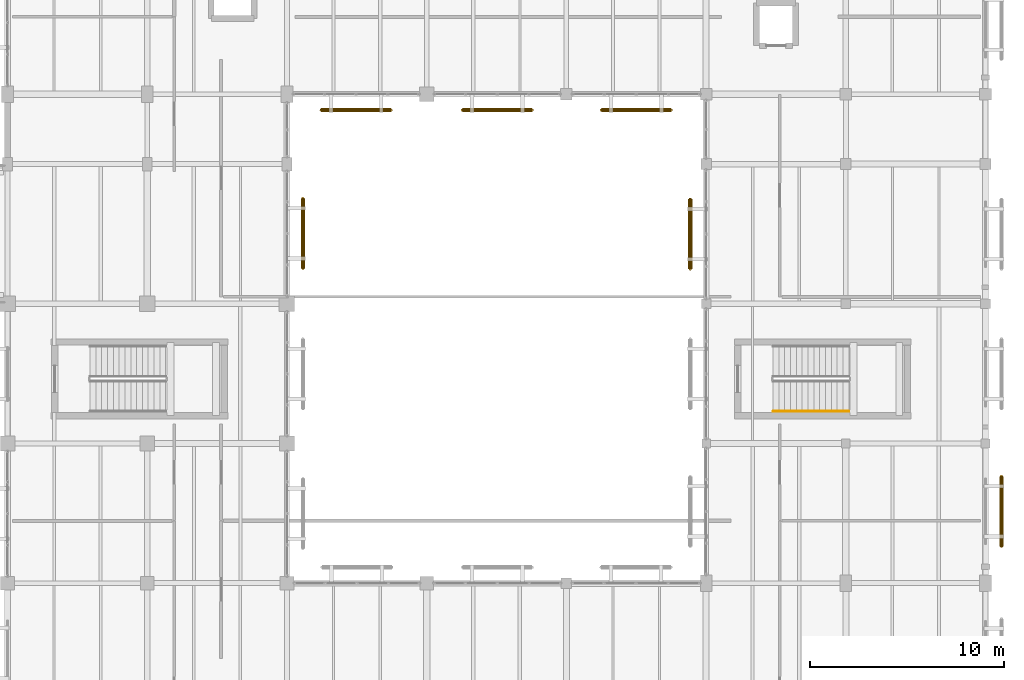
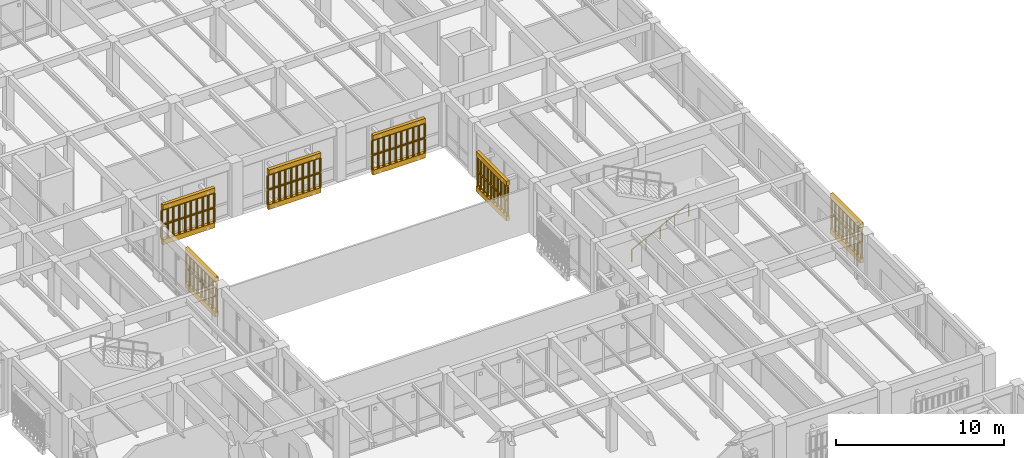
# One storey, part 168 of 170: 13 railings, 12 coverings.
"""IFC4 building model written with IfcOpenShell, lengths in metres."""

from ifc_helpers import new_model, si_unit, direction, frame, origin, origin_2d, place, context, subcontext, project, spatial, polyline, circle, outline, extrude, material, layer, layer_set, type_object, element, save


model = new_model("IFC4")

# Units and contexts
model_context = context("Model", 3, precision=1e-05, world=origin(), true_north=direction((0.0, 1.0)))
body_context = subcontext(model_context, "Body", "Model", "MODEL_VIEW")
ifc_project = project(units=[si_unit("LENGTHUNIT", "METRE"), si_unit("AREAUNIT", "SQUARE_METRE"), si_unit("VOLUMEUNIT", "CUBIC_METRE"), si_unit("PLANEANGLEUNIT", "RADIAN"), si_unit("MASSUNIT", "GRAM", prefix="KILO")], contexts=[model_context])

# Site, building, storey
site_placement = place(None, origin())
site = spatial("IfcSite", under=ifc_project, at=site_placement, CompositionType="ELEMENT")
building_placement = place(site_placement, origin())
building = spatial("IfcBuilding", under=site, at=building_placement, Name="Mazaris Harbour Polytechnic", CompositionType="ELEMENT")
storey_placement = place(building_placement, frame((0.0, 0.0, 5.39990234375)))
storey = spatial("IfcBuildingStorey", under=building, at=storey_placement, Name="L01", CompositionType="ELEMENT", Elevation=5.39990234375)

# Railings
ifc_material_1 = material(Name="Perforated Earth-Coloured Terracotta Block", Category="masonry")
railing_type_1 = type_object("IfcRailingType", Name="Perforated Earth-Block Claustra Lattice 1040", PredefinedType="BALUSTRADE", material=ifc_material_1)
for number, where, name in (
    (1, (173.6201171875, 66.699951171875, 0.52001953125), "V5 L01 Lower Perforated Terracotta Block Screen 388"),
    (2, (173.6201171875, 66.699951171875, 1.610107421875), "V5 L01 Upper Perforated Terracotta Block Screen 388"),
):
    element("IfcRailing", number, at=place(storey_placement, frame(where)), inside=storey, type_object=railing_type_1, Name=name, PredefinedType="BALUSTRADE", context=body_context, shape_type="SweptSolid", body=[
        extrude(circle(Radius=0.06982421875, at=origin_2d()), frame((0.0, 0.0, 1.02001953125), z_axis=(0.0, -1.0, 0.0), x_axis=(1.0, 0.0, 0.0)), (0.0, 0.0, 1.0), 3.599853515625),
        extrude(circle(Radius=0.074951171875, at=origin_2d()), origin(), (0.0, 0.0, 1.0), 0.9501953125),
        extrude(circle(Radius=0.074951171875, at=origin_2d()), frame((0.0, -0.449951171875, 0.0)), (0.0, 0.0, 1.0), 0.9501953125),
        extrude(circle(Radius=0.074951171875, at=origin_2d()), frame((0.0, -0.89990234375, 0.0)), (0.0, 0.0, 1.0), 0.9501953125),
        extrude(circle(Radius=0.074951171875, at=origin_2d()), frame((0.0, -1.349853515625, 0.0)), (0.0, 0.0, 1.0), 0.9501953125),
        extrude(circle(Radius=0.074951171875, at=origin_2d()), frame((0.0, -1.7998046875, 0.0)), (0.0, 0.0, 1.0), 0.9501953125),
        extrude(circle(Radius=0.074951171875, at=origin_2d()), frame((0.0, -2.25, 0.0)), (0.0, 0.0, 1.0), 0.9501953125),
        extrude(circle(Radius=0.074951171875, at=origin_2d()), frame((0.0, -2.699951171875, 0.0)), (0.0, 0.0, 1.0), 0.9501953125),
        extrude(circle(Radius=0.074951171875, at=origin_2d()), frame((0.0, -3.14990234375, 0.0)), (0.0, 0.0, 1.0), 0.9501953125),
        extrude(circle(Radius=0.074951171875, at=origin_2d()), frame((0.0, -3.599853515625, 0.0)), (0.0, 0.0, 1.0), 0.9501953125),
    ])
for number, where, name in (
    (3, (142.16259765625, 85.580078125, 0.52001953125), "V5 L01 Lower Perforated Terracotta Block Screen 397"),
    (4, (142.16259765625, 85.580078125, 1.610107421875), "V5 L01 Upper Perforated Terracotta Block Screen 397"),
    (5, (149.4375, 85.580078125, 0.52001953125), "V5 L01 Lower Perforated Terracotta Block Screen 398"),
    (6, (149.4375, 85.580078125, 1.610107421875), "V5 L01 Upper Perforated Terracotta Block Screen 398"),
    (7, (156.60009765625, 85.580078125, 0.52001953125), "V5 L01 Lower Perforated Terracotta Block Screen 399"),
    (8, (156.60009765625, 85.580078125, 1.610107421875), "V5 L01 Upper Perforated Terracotta Block Screen 399"),
):
    element("IfcRailing", number, at=place(storey_placement, frame(where)), inside=storey, type_object=railing_type_1, Name=name, PredefinedType="BALUSTRADE", context=body_context, shape_type="SweptSolid", body=[
        extrude(circle(Radius=0.06982421875, at=origin_2d()), frame((0.0, 0.0, 1.02001953125), z_axis=(-1.0, 0.0, 0.0), x_axis=(0.0, -1.0, 0.0)), (0.0, 0.0, 1.0), 3.60009765625),
        extrude(circle(Radius=0.074951171875, at=origin_2d()), origin(), (0.0, 0.0, 1.0), 0.9501953125),
        extrude(circle(Radius=0.074951171875, at=origin_2d()), frame((-0.39990234375, 0.0, 0.0)), (0.0, 0.0, 1.0), 0.9501953125),
        extrude(circle(Radius=0.074951171875, at=origin_2d()), frame((-0.800048828125, 0.0, 0.0)), (0.0, 0.0, 1.0), 0.9501953125),
        extrude(circle(Radius=0.074951171875, at=origin_2d()), frame((-1.199951171875, 0.0, 0.0)), (0.0, 0.0, 1.0), 0.9501953125),
        extrude(circle(Radius=0.074951171875, at=origin_2d()), frame((-1.60009765625, 0.0, 0.0)), (0.0, 0.0, 1.0), 0.9501953125),
        extrude(circle(Radius=0.074951171875, at=origin_2d()), frame((-2.0, 0.0, 0.0)), (0.0, 0.0, 1.0), 0.9501953125),
        extrude(circle(Radius=0.074951171875, at=origin_2d()), frame((-2.400146484375, 0.0, 0.0)), (0.0, 0.0, 1.0), 0.9501953125),
        extrude(circle(Radius=0.074951171875, at=origin_2d()), frame((-2.800048828125, 0.0, 0.0)), (0.0, 0.0, 1.0), 0.9501953125),
        extrude(circle(Radius=0.074951171875, at=origin_2d()), frame((-3.2001953125, 0.0, 0.0)), (0.0, 0.0, 1.0), 0.9501953125),
        extrude(circle(Radius=0.074951171875, at=origin_2d()), frame((-3.60009765625, 0.0, 0.0)), (0.0, 0.0, 1.0), 0.9501953125),
    ])
for number, where, name in (
    (9, (137.6201171875, 77.425048828125, 0.52001953125), "V5 L01 Lower Perforated Terracotta Block Screen 402"),
    (10, (137.6201171875, 77.425048828125, 1.610107421875), "V5 L01 Upper Perforated Terracotta Block Screen 402"),
):
    element("IfcRailing", number, at=place(storey_placement, frame(where)), inside=storey, type_object=railing_type_1, Name=name, PredefinedType="BALUSTRADE", context=body_context, shape_type="SweptSolid", body=[
        extrude(circle(Radius=0.06982421875, at=origin_2d()), frame((0.0, 0.0, 1.02001953125), z_axis=(0.0, 1.0, 0.0), x_axis=(-1.0, 0.0, 0.0)), (0.0, 0.0, 1.0), 3.599853515625),
        extrude(circle(Radius=0.074951171875, at=origin_2d()), origin(), (0.0, 0.0, 1.0), 0.9501953125),
        extrude(circle(Radius=0.074951171875, at=origin_2d()), frame((0.0, 0.449951171875, 0.0)), (0.0, 0.0, 1.0), 0.9501953125),
        extrude(circle(Radius=0.074951171875, at=origin_2d()), frame((0.0, 0.89990234375, 0.0)), (0.0, 0.0, 1.0), 0.9501953125),
        extrude(circle(Radius=0.074951171875, at=origin_2d()), frame((0.0, 1.349853515625, 0.0)), (0.0, 0.0, 1.0), 0.9501953125),
        extrude(circle(Radius=0.074951171875, at=origin_2d()), frame((0.0, 1.7998046875, 0.0)), (0.0, 0.0, 1.0), 0.9501953125),
        extrude(circle(Radius=0.074951171875, at=origin_2d()), frame((0.0, 2.25, 0.0)), (0.0, 0.0, 1.0), 0.9501953125),
        extrude(circle(Radius=0.074951171875, at=origin_2d()), frame((0.0, 2.699951171875, 0.0)), (0.0, 0.0, 1.0), 0.9501953125),
        extrude(circle(Radius=0.074951171875, at=origin_2d()), frame((0.0, 3.14990234375, 0.0)), (0.0, 0.0, 1.0), 0.9501953125),
        extrude(circle(Radius=0.074951171875, at=origin_2d()), frame((0.0, 3.599853515625, 0.0)), (0.0, 0.0, 1.0), 0.9501953125),
    ])
for number, where, name in (
    (11, (157.580078125, 80.987548828125, 0.52001953125), "V5 L01 Lower Perforated Terracotta Block Screen 405"),
    (12, (157.580078125, 80.987548828125, 1.610107421875), "V5 L01 Upper Perforated Terracotta Block Screen 405"),
):
    element("IfcRailing", number, at=place(storey_placement, frame(where)), inside=storey, type_object=railing_type_1, Name=name, PredefinedType="BALUSTRADE", context=body_context, shape_type="SweptSolid", body=[
        extrude(circle(Radius=0.06982421875, at=origin_2d()), frame((0.0, 0.0, 1.02001953125), z_axis=(0.0, -1.0, 0.0), x_axis=(1.0, 0.0, 0.0)), (0.0, 0.0, 1.0), 3.60009765625),
        extrude(circle(Radius=0.074951171875, at=origin_2d()), origin(), (0.0, 0.0, 1.0), 0.9501953125),
        extrude(circle(Radius=0.074951171875, at=origin_2d()), frame((0.0, -0.39990234375, 0.0)), (0.0, 0.0, 1.0), 0.9501953125),
        extrude(circle(Radius=0.074951171875, at=origin_2d()), frame((0.0, -0.800048828125, 0.0)), (0.0, 0.0, 1.0), 0.9501953125),
        extrude(circle(Radius=0.074951171875, at=origin_2d()), frame((0.0, -1.199951171875, 0.0)), (0.0, 0.0, 1.0), 0.9501953125),
        extrude(circle(Radius=0.074951171875, at=origin_2d()), frame((0.0, -1.60009765625, 0.0)), (0.0, 0.0, 1.0), 0.9501953125),
        extrude(circle(Radius=0.074951171875, at=origin_2d()), frame((0.0, -2.0, 0.0)), (0.0, 0.0, 1.0), 0.9501953125),
        extrude(circle(Radius=0.074951171875, at=origin_2d()), frame((0.0, -2.400146484375, 0.0)), (0.0, 0.0, 1.0), 0.9501953125),
        extrude(circle(Radius=0.074951171875, at=origin_2d()), frame((0.0, -2.800048828125, 0.0)), (0.0, 0.0, 1.0), 0.9501953125),
        extrude(circle(Radius=0.074951171875, at=origin_2d()), frame((0.0, -3.2001953125, 0.0)), (0.0, 0.0, 1.0), 0.9501953125),
        extrude(circle(Radius=0.074951171875, at=origin_2d()), frame((0.0, -3.60009765625, 0.0)), (0.0, 0.0, 1.0), 0.9501953125),
    ])
ifc_material_2 = material(Name="Stainless Steel S355", Category="steel")
railing_type_2 = type_object("IfcRailingType", Name="Stair Wall Handrail 900", PredefinedType="HANDRAIL", material=ifc_material_2)
railing_placement = place(storey_placement, frame((161.85009765625, 70.050048828125, 0.150146484375)))
element("IfcRailing", 13, at=railing_placement, inside=storey, type_object=railing_type_2, Name="L01 ST10 stair handrail 1", PredefinedType="HANDRAIL", context=body_context, shape_type="SweptSolid", body=[
    extrude(circle(Radius=0.02392578125, at=origin_2d()), frame((0.0, 0.0, 0.8759765625), z_axis=(0.894427191, 0.0, 0.4472135955), x_axis=(0.0, 1.0, 0.0)), (0.0, 0.0, 1.0), 4.360107421875),
    extrude(circle(Radius=0.02099609375, at=origin_2d()), origin(), (0.0, 0.0, 1.0), 0.851806640625),
    extrude(circle(Radius=0.02099609375, at=origin_2d()), frame((0.97509765625, 0.0, 0.487548828125)), (0.0, 0.0, 1.0), 0.851806640625),
    extrude(circle(Radius=0.02099609375, at=origin_2d()), frame((1.949951171875, 0.0, 0.97509765625)), (0.0, 0.0, 1.0), 0.851806640625),
    extrude(circle(Radius=0.02099609375, at=origin_2d()), frame((2.9248046875, 0.0, 1.46240234375)), (0.0, 0.0, 1.0), 0.851806640625),
    extrude(circle(Radius=0.02099609375, at=origin_2d()), frame((3.89990234375, 0.0, 1.949951171875)), (0.0, 0.0, 1.0), 0.851806640625),
])

# Coverings
ifc_material_3 = material(Name="Perforated Earth-Coloured Terracotta Block", Category="masonry")
ifc_layer = layer(ifc_material_3, 0.219970703125, Name="Perforated Earth-Coloured Terracotta Block")
ifc_layer_set = layer_set([ifc_layer], Name="Perforated Earth-Coloured Terracotta Block")
covering_type = type_object("IfcCoveringType", Name="Terracotta Screen Course Cladding 220", PredefinedType="CLADDING", material=ifc_layer_set)
covering_1_placement = place(storey_placement, frame((0.0, 0.0, 0.16015625)))
element("IfcCovering", 14, at=covering_1_placement, inside=storey, type_object=covering_type, Name="V5 L01 Perforated Screen Sill Course 388", PredefinedType="CLADDING", context=body_context, shape_type="SweptSolid", body=[
    extrude(outline(polyline([(173.510009765625, 66.699951171875), (173.510009765625, 63.10009765625), (173.72998046875, 63.10009765625), (173.72998046875, 66.699951171875), (173.510009765625, 66.699951171875)])), origin(), (0.0, 0.0, 1.0), 0.35986328125),
])
covering_2_placement = place(storey_placement, frame((0.0, 0.0, 2.7001953125)))
element("IfcCovering", 15, at=covering_2_placement, inside=storey, type_object=covering_type, Name="V5 L01 Perforated Screen Lintel Course 388", PredefinedType="CLADDING", context=body_context, shape_type="SweptSolid", body=[
    extrude(outline(polyline([(173.510009765625, 66.699951171875), (173.510009765625, 63.10009765625), (173.72998046875, 63.10009765625), (173.72998046875, 66.699951171875), (173.510009765625, 66.699951171875)])), origin(), (0.0, 0.0, 1.0), 0.33984375),
])
covering_3_placement = place(storey_placement, frame((0.0, 0.0, 0.16015625)))
element("IfcCovering", 16, at=covering_3_placement, inside=storey, type_object=covering_type, Name="V5 L01 Perforated Screen Sill Course 397", PredefinedType="CLADDING", context=body_context, shape_type="SweptSolid", body=[
    extrude(outline(polyline([(142.16259765625, 85.68994140625), (138.5625, 85.68994140625), (138.5625, 85.469970703125), (142.16259765625, 85.469970703125), (142.16259765625, 85.68994140625)])), origin(), (0.0, 0.0, 1.0), 0.35986328125),
])
covering_4_placement = place(storey_placement, frame((0.0, 0.0, 2.7001953125)))
element("IfcCovering", 17, at=covering_4_placement, inside=storey, type_object=covering_type, Name="V5 L01 Perforated Screen Lintel Course 397", PredefinedType="CLADDING", context=body_context, shape_type="SweptSolid", body=[
    extrude(outline(polyline([(142.16259765625, 85.68994140625), (138.5625, 85.68994140625), (138.5625, 85.469970703125), (142.16259765625, 85.469970703125), (142.16259765625, 85.68994140625)])), origin(), (0.0, 0.0, 1.0), 0.33984375),
])
covering_5_placement = place(storey_placement, frame((0.0, 0.0, 0.16015625)))
element("IfcCovering", 18, at=covering_5_placement, inside=storey, type_object=covering_type, Name="V5 L01 Perforated Screen Sill Course 398", PredefinedType="CLADDING", context=body_context, shape_type="SweptSolid", body=[
    extrude(outline(polyline([(149.4375, 85.68994140625), (145.83740234375, 85.68994140625), (145.83740234375, 85.469970703125), (149.4375, 85.469970703125), (149.4375, 85.68994140625)])), origin(), (0.0, 0.0, 1.0), 0.35986328125),
])
covering_6_placement = place(storey_placement, frame((0.0, 0.0, 2.7001953125)))
element("IfcCovering", 19, at=covering_6_placement, inside=storey, type_object=covering_type, Name="V5 L01 Perforated Screen Lintel Course 398", PredefinedType="CLADDING", context=body_context, shape_type="SweptSolid", body=[
    extrude(outline(polyline([(149.4375, 85.68994140625), (145.83740234375, 85.68994140625), (145.83740234375, 85.469970703125), (149.4375, 85.469970703125), (149.4375, 85.68994140625)])), origin(), (0.0, 0.0, 1.0), 0.33984375),
])
covering_7_placement = place(storey_placement, frame((0.0, 0.0, 0.16015625)))
element("IfcCovering", 20, at=covering_7_placement, inside=storey, type_object=covering_type, Name="V5 L01 Perforated Screen Sill Course 399", PredefinedType="CLADDING", context=body_context, shape_type="SweptSolid", body=[
    extrude(outline(polyline([(156.60009765625, 85.68994140625), (153.0, 85.68994140625), (153.0, 85.469970703125), (156.60009765625, 85.469970703125), (156.60009765625, 85.68994140625)])), origin(), (0.0, 0.0, 1.0), 0.35986328125),
])
covering_8_placement = place(storey_placement, frame((0.0, 0.0, 2.7001953125)))
element("IfcCovering", 21, at=covering_8_placement, inside=storey, type_object=covering_type, Name="V5 L01 Perforated Screen Lintel Course 399", PredefinedType="CLADDING", context=body_context, shape_type="SweptSolid", body=[
    extrude(outline(polyline([(156.60009765625, 85.68994140625), (153.0, 85.68994140625), (153.0, 85.469970703125), (156.60009765625, 85.469970703125), (156.60009765625, 85.68994140625)])), origin(), (0.0, 0.0, 1.0), 0.33984375),
])
covering_9_placement = place(storey_placement, frame((0.0, 0.0, 0.16015625)))
element("IfcCovering", 22, at=covering_9_placement, inside=storey, type_object=covering_type, Name="V5 L01 Perforated Screen Sill Course 402", PredefinedType="CLADDING", context=body_context, shape_type="SweptSolid", body=[
    extrude(outline(polyline([(137.510009765625, 77.425048828125), (137.510009765625, 81.02490234375), (137.72998046875, 81.02490234375), (137.72998046875, 77.425048828125), (137.510009765625, 77.425048828125)])), origin(), (0.0, 0.0, 1.0), 0.35986328125),
])
covering_10_placement = place(storey_placement, frame((0.0, 0.0, 2.7001953125)))
element("IfcCovering", 23, at=covering_10_placement, inside=storey, type_object=covering_type, Name="V5 L01 Perforated Screen Lintel Course 402", PredefinedType="CLADDING", context=body_context, shape_type="SweptSolid", body=[
    extrude(outline(polyline([(137.510009765625, 77.425048828125), (137.510009765625, 81.02490234375), (137.72998046875, 81.02490234375), (137.72998046875, 77.425048828125), (137.510009765625, 77.425048828125)])), origin(), (0.0, 0.0, 1.0), 0.33984375),
])
covering_11_placement = place(storey_placement, frame((0.0, 0.0, 0.16015625)))
element("IfcCovering", 24, at=covering_11_placement, inside=storey, type_object=covering_type, Name="V5 L01 Perforated Screen Sill Course 405", PredefinedType="CLADDING", context=body_context, shape_type="SweptSolid", body=[
    extrude(outline(polyline([(157.68994140625, 80.987548828125), (157.68994140625, 77.387451171875), (157.469970703125, 77.387451171875), (157.469970703125, 80.987548828125), (157.68994140625, 80.987548828125)])), origin(), (0.0, 0.0, 1.0), 0.35986328125),
])
covering_12_placement = place(storey_placement, frame((0.0, 0.0, 2.7001953125)))
element("IfcCovering", 25, at=covering_12_placement, inside=storey, type_object=covering_type, Name="V5 L01 Perforated Screen Lintel Course 405", PredefinedType="CLADDING", context=body_context, shape_type="SweptSolid", body=[
    extrude(outline(polyline([(157.68994140625, 80.987548828125), (157.68994140625, 77.387451171875), (157.469970703125, 77.387451171875), (157.469970703125, 80.987548828125), (157.68994140625, 80.987548828125)])), origin(), (0.0, 0.0, 1.0), 0.33984375),
])

save(model, "model.ifc")
